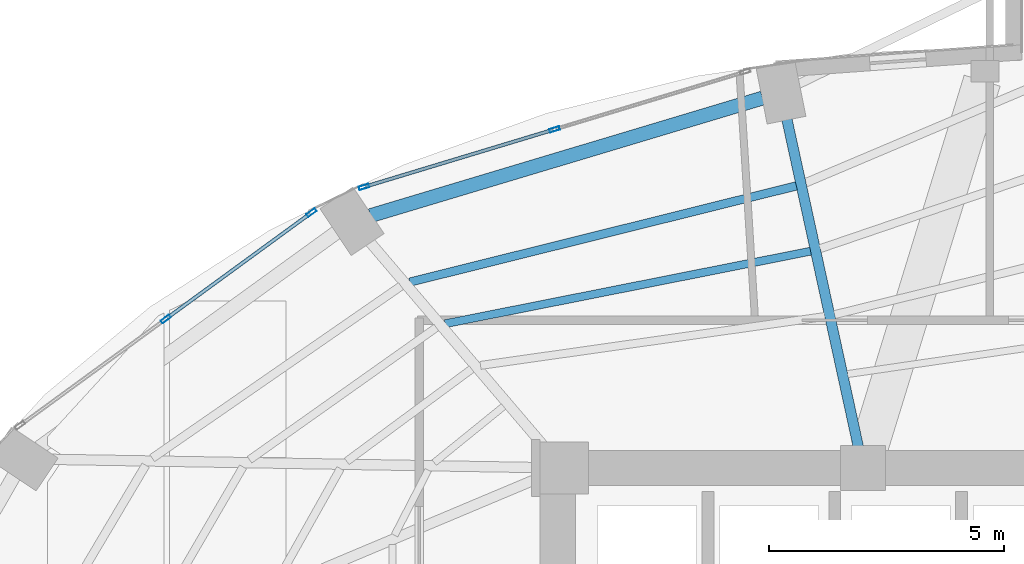
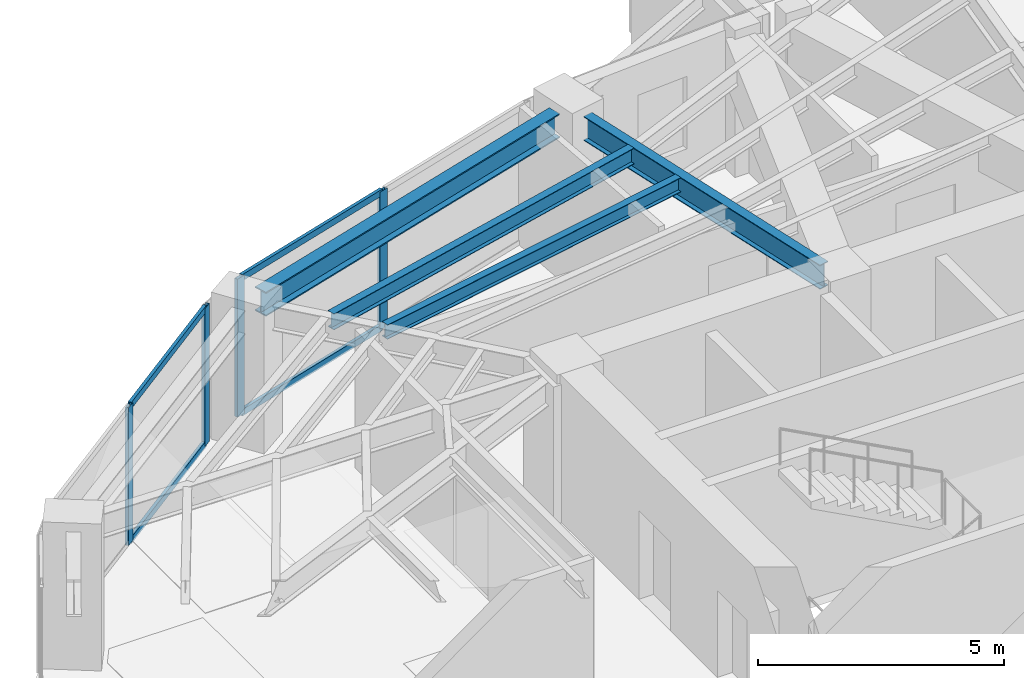
# One storey, part 14 of 23: 8 members, 4 beams, 2 elements without a shape of their own.
"""IFC4 building model written with IfcOpenShell, lengths in metres."""

from ifc_helpers import new_model, si_unit, direction, frame, origin, origin_2d, place, context, subcontext, project, spatial, hollow_rectangle, i_section, extrude, material, layer, layer_set, material_profile, profile_set, type_object, element, aggregate, save


model = new_model("IFC4")

# Units and contexts
model_context = context("Model", 3, precision=1e-05, world=origin(), true_north=direction((0.0, 1.0)))
body_context = subcontext(model_context, "Body", "Model", "MODEL_VIEW")
ifc_project = project(units=[si_unit("LENGTHUNIT", "METRE"), si_unit("AREAUNIT", "SQUARE_METRE"), si_unit("VOLUMEUNIT", "CUBIC_METRE"), si_unit("PLANEANGLEUNIT", "RADIAN"), si_unit("MASSUNIT", "GRAM", prefix="KILO")], contexts=[model_context])

# Site, building, storey
site_placement = place(None, origin())
site = spatial("IfcSite", under=ifc_project, at=site_placement, CompositionType="ELEMENT")
building_placement = place(site_placement, origin())
building = spatial("IfcBuilding", under=site, at=building_placement, Name="Lazwardi Medical Tower", CompositionType="ELEMENT")
storey_placement = place(building_placement, frame((0.0, 0.0, 107.280029296875)))
storey = spatial("IfcBuildingStorey", under=building, at=storey_placement, Name="L27", CompositionType="ELEMENT", Elevation=107.280029296875)

# Beams
ifc_material_1 = material(Name="Steel S355", Category="steel")
ifc_material_profile_1 = material_profile(ifc_material_1, i_section(OverallWidth=0.300048828125, OverallDepth=0.60009765625, WebThickness=0.015380859375, FlangeThickness=0.030029296875, at=origin_2d()), Name="HEB 600")
ifc_profile_set_1 = profile_set([ifc_material_profile_1], Name="Steel S355")
beam_type_1 = type_object("IfcBeamType", Name="BM-RB-Z2", PredefinedType="BEAM", material=ifc_profile_set_1)
beam_1_placement = place(storey_placement, frame((30.661865234375, 43.4794921875, 3.1279296875), z_axis=(-0.957879438442, -0.287170648587, 0.0), x_axis=(0.287170648587, -0.957879438442, 0.0)))
element("IfcBeam", 1, at=beam_1_placement, inside=storey, type_object=beam_type_1, Name="Ring beam RB-03 B09 L27", PredefinedType="BEAM", context=body_context, shape_type="SweptSolid", body=[
    extrude(i_section(OverallWidth=0.300048828125, OverallDepth=0.60009765625, WebThickness=0.015380859375, FlangeThickness=0.030029296875, at=origin_2d()), origin(), (0.0, 0.0, 1.0), 8.719970703125),
])
ifc_material_profile_2 = material_profile(ifc_material_1, i_section(OverallWidth=0.219970703125, OverallDepth=0.60009765625, WebThickness=0.011962890625, FlangeThickness=0.01904296875, at=origin_2d()), Name="IPE 600")
ifc_profile_set_2 = profile_set([ifc_material_profile_2], Name="Steel S355")
beam_type_2 = type_object("IfcBeamType", Name="BM-RG-W1", PredefinedType="BEAM", material=ifc_profile_set_2)
beam_2_placement = place(storey_placement, frame((31.17822265625, 43.03076171875, 3.1279296875), z_axis=(0.213228150441, -0.977002433907, 0.0), x_axis=(0.977002433907, 0.213228150441, 0.0)))
element("IfcBeam", 2, at=beam_2_placement, inside=storey, type_object=beam_type_2, Name="Radial girder RG-02 R09 L27", PredefinedType="BEAM", context=body_context, shape_type="SweptSolid", body=[
    extrude(i_section(OverallWidth=0.219970703125, OverallDepth=0.60009765625, WebThickness=0.011962890625, FlangeThickness=0.01904296875, at=origin_2d()), origin(), (0.0, 0.0, 1.0), 7.145751953125),
])
ifc_material_profile_3 = material_profile(ifc_material_1, i_section(OverallWidth=0.179931640625, OverallDepth=0.39990234375, WebThickness=0.008544921875, FlangeThickness=0.013427734375, at=origin_2d()), Name="IPE 400")
ifc_profile_set_3 = profile_set([ifc_material_profile_3], Name="Steel S355")
beam_type_3 = type_object("IfcBeamType", Name="BM-SJ-01", PredefinedType="JOIST", material=ifc_profile_set_3)
beam_3_placement = place(storey_placement, frame((31.381103515625, 41.609130859375, 3.22802734375), z_axis=(-0.970400881943, -0.241499748081, 0.0), x_axis=(0.241499748081, -0.970400881943, 0.0)))
element("IfcBeam", 3, at=beam_3_placement, inside=storey, type_object=beam_type_3, Name="Secondary joist SJ-01 R1 B09 L27", PredefinedType="JOIST", context=body_context, shape_type="SweptSolid", body=[
    extrude(i_section(OverallWidth=0.179931640625, OverallDepth=0.39990234375, WebThickness=0.008544921875, FlangeThickness=0.013427734375, at=origin_2d()), origin(), (0.0, 0.0, 1.0), 8.48583984375),
])
ifc_material_profile_4 = material_profile(ifc_material_1, i_section(OverallWidth=0.169921875, OverallDepth=0.360107421875, WebThickness=0.008056640625, FlangeThickness=0.0126953125, at=origin_2d()), Name="IPE 360")
ifc_profile_set_4 = profile_set([ifc_material_profile_4], Name="Steel S355")
beam_type_4 = type_object("IfcBeamType", Name="BM-SJ-02", PredefinedType="JOIST", material=ifc_profile_set_4)
beam_4_placement = place(storey_placement, frame((31.684814453125, 40.2177734375, 3.248046875), z_axis=(-0.980878853282, -0.194619308352, 0.0), x_axis=(0.194619308352, -0.980878853282, 0.0)))
element("IfcBeam", 4, at=beam_4_placement, inside=storey, type_object=beam_type_4, Name="Secondary joist SJ-02 R2 B09 L27", PredefinedType="JOIST", context=body_context, shape_type="SweptSolid", body=[
    extrude(i_section(OverallWidth=0.169921875, OverallDepth=0.360107421875, WebThickness=0.008056640625, FlangeThickness=0.0126953125, at=origin_2d()), origin(), (0.0, 0.0, 1.0), 7.93701171875),
])

# Curtain wall, members
ifc_material_2 = material(Name="Anodised bronze aluminium and solar control glazing", Category="aluminium")
ifc_layer = layer(ifc_material_2, 0.195068359375)
ifc_layer_set = layer_set([ifc_layer], Name="Anodised bronze aluminium and solar control glazing")
curtain_wall_type = type_object("IfcCurtainWallType", Name="CW-SYS-03", PredefinedType="NOTDEFINED", material=ifc_layer_set)
curtain_wall_1_placement = place(storey_placement, origin())
curtain_wall_1 = element("IfcCurtainWall", 5, at=curtain_wall_1_placement, inside=storey, type_object=curtain_wall_type, Name="L27 Unitised bronze curtain wall CW-03", PredefinedType="NOTDEFINED")
ifc_material_3 = material(Name="Anodised bronze aluminium", Category="aluminium")
ifc_material_profile_5 = material_profile(ifc_material_3, hollow_rectangle(XDim=0.074951171875, YDim=0.219970703125, WallThickness=0.00390625, at=origin_2d()), Name="ALU-MULLION 220x75x4")
ifc_profile_set_5 = profile_set([ifc_material_profile_5], Name="Anodised bronze aluminium")
member_type_1 = type_object("IfcMemberType", Name="CW-MUL-01", PredefinedType="MULLION", material=ifc_profile_set_5)
member_1_placement = place(storey_placement, frame((26.230712890625, 42.81298828125, 0.0), z_axis=(0.0, 0.0, 1.0), x_axis=(0.28937381157, -0.957216170558, 0.0)))
member_1 = element("IfcMember", 6, at=member_1_placement, type_object=member_type_1, Name="CW-03 mullion 2", PredefinedType="MULLION", context=body_context, shape_type="SweptSolid", body=[
    extrude(hollow_rectangle(XDim=0.074951171875, YDim=0.219970703125, WallThickness=0.00390625, at=origin_2d()), origin(), (0.0, 0.0, 1.0), 3.427978515625),
])
member_2_placement = place(storey_placement, frame((22.171630859375, 41.5859375, 0.0), z_axis=(0.0, 0.0, 1.0), x_axis=(0.28937381157, -0.957216170558, 0.0)))
member_2 = element("IfcMember", 7, at=member_2_placement, type_object=member_type_1, Name="CW-03 mullion 3", PredefinedType="MULLION", context=body_context, shape_type="SweptSolid", body=[
    extrude(hollow_rectangle(XDim=0.074951171875, YDim=0.219970703125, WallThickness=0.00390625, at=origin_2d()), origin(), (0.0, 0.0, 1.0), 3.427978515625),
])

curtain_wall_2_placement = place(storey_placement, origin())
curtain_wall_2 = element("IfcCurtainWall", 8, at=curtain_wall_2_placement, inside=storey, type_object=curtain_wall_type, Name="L27 Unitised bronze curtain wall CW-03", PredefinedType="NOTDEFINED")
member_3_placement = place(storey_placement, frame((21.052734375, 41.03955078125, 0.0), z_axis=(0.0, 0.0, 1.0), x_axis=(0.589530882802, -0.807745837639, 0.0)))
member_3 = element("IfcMember", 9, at=member_3_placement, type_object=member_type_1, Name="CW-03 mullion 1", PredefinedType="MULLION", context=body_context, shape_type="SweptSolid", body=[
    extrude(hollow_rectangle(XDim=0.074951171875, YDim=0.219970703125, WallThickness=0.00390625, at=origin_2d()), origin(), (0.0, 0.0, 1.0), 3.427978515625),
])
member_4_placement = place(storey_placement, frame((17.948974609375, 38.774169921875, 0.0), z_axis=(0.0, 0.0, 1.0), x_axis=(0.589530882802, -0.807745837639, 0.0)))
member_4 = element("IfcMember", 10, at=member_4_placement, type_object=member_type_1, Name="CW-03 mullion 2", PredefinedType="MULLION", context=body_context, shape_type="SweptSolid", body=[
    extrude(hollow_rectangle(XDim=0.074951171875, YDim=0.219970703125, WallThickness=0.00390625, at=origin_2d()), origin(), (0.0, 0.0, 1.0), 3.427978515625),
])

# Member
ifc_material_profile_6 = material_profile(ifc_material_3, hollow_rectangle(XDim=0.074951171875, YDim=0.159912109375, WallThickness=0.00390625, at=origin_2d()), Name="ALU-TRANSOM 160x75x4")
ifc_profile_set_6 = profile_set([ifc_material_profile_6], Name="Anodised bronze aluminium")
member_type_2 = type_object("IfcMemberType", Name="CW-TRN-01", PredefinedType="USERDEFINED", material=ifc_profile_set_6)
member_5_placement = place(storey_placement, frame((26.19482421875, 42.80224609375, 0.037353515625), z_axis=(-0.957220865985, -0.289358279168, 0.0), x_axis=(0.289358279168, -0.957220865985, 0.0)))
member_5 = element("IfcMember", 11, at=member_5_placement, type_object=member_type_2, Name="CW-03 transom 2.1", ObjectType="TRANSOM", PredefinedType="USERDEFINED", context=body_context, shape_type="SweptSolid", body=[
    extrude(hollow_rectangle(XDim=0.074951171875, YDim=0.159912109375, WallThickness=0.00390625, at=origin_2d()), origin(), (0.0, 0.0, 1.0), 4.16552734375),
])

member_6_placement = place(storey_placement, frame((26.19482421875, 42.80224609375, 3.390380859375), z_axis=(-0.957220865985, -0.289358279168, 0.0), x_axis=(0.289358279168, -0.957220865985, 0.0)))
member_6 = element("IfcMember", 12, at=member_6_placement, type_object=member_type_2, Name="CW-03 transom 2.2", ObjectType="TRANSOM", PredefinedType="USERDEFINED", context=body_context, shape_type="SweptSolid", body=[
    extrude(hollow_rectangle(XDim=0.074951171875, YDim=0.159912109375, WallThickness=0.00390625, at=origin_2d()), origin(), (0.0, 0.0, 1.0), 4.16552734375),
])

aggregate(curtain_wall_1, [member_1, member_2, member_5, member_6])

member_7_placement = place(storey_placement, frame((21.0224609375, 41.017578125, 0.037353515625), z_axis=(-0.807731734271, -0.589550206049, 0.0), x_axis=(0.589550206049, -0.807731734271, 0.0)))
member_7 = element("IfcMember", 13, at=member_7_placement, type_object=member_type_2, Name="CW-03 transom 1.1", ObjectType="TRANSOM", PredefinedType="USERDEFINED", context=body_context, shape_type="SweptSolid", body=[
    extrude(hollow_rectangle(XDim=0.074951171875, YDim=0.159912109375, WallThickness=0.00390625, at=origin_2d()), origin(), (0.0, 0.0, 1.0), 3.767578125),
])

member_8_placement = place(storey_placement, frame((21.0224609375, 41.017578125, 3.390380859375), z_axis=(-0.807731734271, -0.589550206049, 0.0), x_axis=(0.589550206049, -0.807731734271, 0.0)))
member_8 = element("IfcMember", 14, at=member_8_placement, type_object=member_type_2, Name="CW-03 transom 1.2", ObjectType="TRANSOM", PredefinedType="USERDEFINED", context=body_context, shape_type="SweptSolid", body=[
    extrude(hollow_rectangle(XDim=0.074951171875, YDim=0.159912109375, WallThickness=0.00390625, at=origin_2d()), origin(), (0.0, 0.0, 1.0), 3.767578125),
])

aggregate(curtain_wall_2, [member_3, member_4, member_7, member_8])

save(model, "model.ifc")
